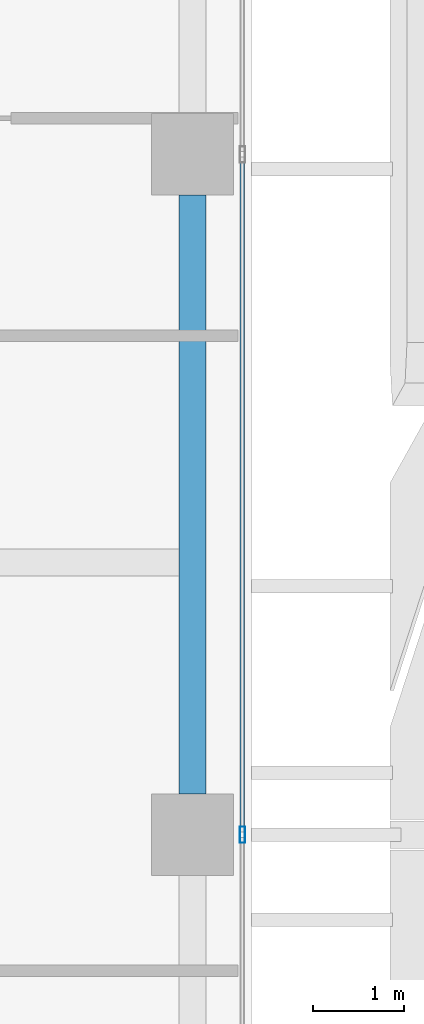
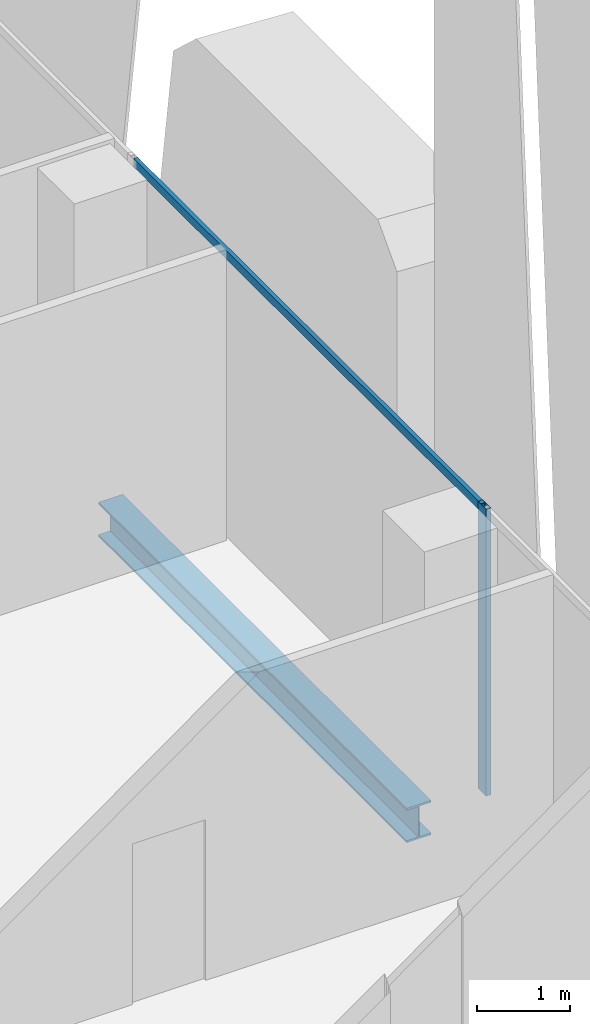
# One storey, part 11 of 33: 2 members, 1 beam, 1 element without a shape of its own.
"""IFC4 building model written with IfcOpenShell, lengths in metres."""

from ifc_helpers import new_model, si_unit, direction, frame, origin, origin_2d, place, context, subcontext, project, spatial, hollow_rectangle, i_section, extrude, source, transform, mapped, material, material_profile, profile_set, type_object, element, aggregate, save


model = new_model("IFC4")

# Units and contexts
model_context = context("Model", 3, precision=1e-05, world=origin(), true_north=direction((0.0, 1.0)))
body_context = subcontext(model_context, "Body", "Model", "MODEL_VIEW")
ifc_project = project(units=[si_unit("LENGTHUNIT", "METRE"), si_unit("AREAUNIT", "SQUARE_METRE"), si_unit("VOLUMEUNIT", "CUBIC_METRE"), si_unit("PLANEANGLEUNIT", "RADIAN"), si_unit("MASSUNIT", "GRAM", prefix="KILO")], contexts=[model_context])

# Site, building, storey
site_placement = place(None, origin())
site = spatial("IfcSite", under=ifc_project, at=site_placement, CompositionType="ELEMENT")
building_placement = place(site_placement, origin())
building = spatial("IfcBuilding", under=site, at=building_placement, Name="Khomas Fold Tower", CompositionType="ELEMENT")
storey_placement = place(building_placement, frame((0.0, 0.0, 234.199951171875)))
storey = spatial("IfcBuildingStorey", under=building, at=storey_placement, Name="L52", CompositionType="ELEMENT", Elevation=234.199951171875)

# Beam
ifc_material_1 = material(Name="Steel S355", Category="steel")
ifc_material_profile_1 = material_profile(ifc_material_1, i_section(OverallWidth=0.300048828125, OverallDepth=0.449951171875, WebThickness=0.013916015625, FlangeThickness=0.02587890625, at=origin_2d()), Name="HE 450 B")
ifc_profile_set_1 = profile_set([ifc_material_profile_1], Name="Steel S355")
beam_type = type_object("IfcBeamType", Name="HE 450 B spandrel SB4", PredefinedType="SPANDREL", material=ifc_profile_set_1)
shared_shape_1 = source(origin(), body_context, "Body", "SweptSolid", [
    extrude(i_section(OverallWidth=0.300048828125, OverallDepth=0.449951171875, WebThickness=0.013916015625, FlangeThickness=0.02587890625, at=origin_2d()), origin(), (0.0, 0.0, 1.0), 6.60009765625),
])
beam_placement = place(storey_placement, frame((48.85009765625, 19.949951171875, -0.474853515625), z_axis=(0.0, 1.0, 0.0), x_axis=(-1.0, 0.0, 0.0)))
element("IfcBeam", 1, at=beam_placement, inside=storey, type_object=beam_type, Name="SB4", PredefinedType="SPANDREL", context=body_context, shape_type="MappedRepresentation", body=[
    mapped(shared_shape_1, transform((0.0, 0.0, 0.0))),
])

# Curtain wall, members
ifc_material_2 = material(Name="Aluminium framed double glazing", Category="aluminium")
curtain_wall_type = type_object("IfcCurtainWallType", Name="SK-Unitised clear-glass wall, office floors CW2", PredefinedType="NOTDEFINED", material=ifc_material_2)
curtain_wall_placement = place(storey_placement, origin())
curtain_wall = element("IfcCurtainWall", 2, at=curtain_wall_placement, inside=storey, type_object=curtain_wall_type, Name="CW2 run L52 03-0", PredefinedType="NOTDEFINED")
ifc_material_3 = material(Name="Aluminium", Category="aluminium")
ifc_material_profile_2 = material_profile(ifc_material_3, hollow_rectangle(XDim=0.06005859375, YDim=0.179931640625, WallThickness=0.00390625, at=origin_2d()), Name="SK-Unitised clear-glass wall, office floors mullion CW2-M")
ifc_profile_set_2 = profile_set([ifc_material_profile_2], Name="Aluminium")
member_type_1 = type_object("IfcMemberType", Name="SK-Unitised clear-glass wall, office floors mullion CW2-M", PredefinedType="MULLION", material=ifc_profile_set_2)
shared_shape_2 = source(origin(), body_context, "Body", "SweptSolid", [
    extrude(hollow_rectangle(XDim=0.06005859375, YDim=0.179931640625, WallThickness=0.00390625, at=origin_2d()), origin(), (0.0, 0.0, 1.0), 3.75),
])
member_1_placement = place(storey_placement, frame((49.39990234375, 19.5, 0.0), z_axis=(0.0, 0.0, 1.0), x_axis=(-1.0, 0.0, 0.0)))
member_1 = element("IfcMember", 3, at=member_1_placement, type_object=member_type_1, Name="CW2 mullion 3", PredefinedType="MULLION", context=body_context, shape_type="MappedRepresentation", body=[
    mapped(shared_shape_2, transform((0.0, 0.0, 0.0))),
])
ifc_material_4 = material(Name="Aluminium", Category="aluminium")
ifc_material_profile_3 = material_profile(ifc_material_4, hollow_rectangle(XDim=0.050048828125, YDim=0.110107421875, WallThickness=0.00390625, at=origin_2d()), Name="SK-Unitised clear-glass wall, office floors transom CW2-T")
ifc_profile_set_3 = profile_set([ifc_material_profile_3], Name="Aluminium")
member_type_2 = type_object("IfcMemberType", Name="SK-Unitised clear-glass wall, office floors transom CW2-T", PredefinedType="USERDEFINED", material=ifc_profile_set_3)
shared_shape_3 = source(origin(), body_context, "Body", "SweptSolid", [
    extrude(hollow_rectangle(XDim=0.050048828125, YDim=0.110107421875, WallThickness=0.00390625, at=origin_2d()), origin(), (0.0, 0.0, 1.0), 7.43994140625),
])
member_2_placement = place(storey_placement, frame((49.39990234375, 19.530029296875, 3.695068359375), z_axis=(0.0, 1.0, 0.0), x_axis=(-1.0, 0.0, 0.0)))
member_2 = element("IfcMember", 4, at=member_2_placement, type_object=member_type_2, Name="CW2 transom 3", ObjectType="TRANSOM", PredefinedType="USERDEFINED", context=body_context, shape_type="MappedRepresentation", body=[
    mapped(shared_shape_3, transform((0.0, 0.0, 0.0))),
])
aggregate(curtain_wall, [member_1, member_2])

save(model, "model.ifc")
